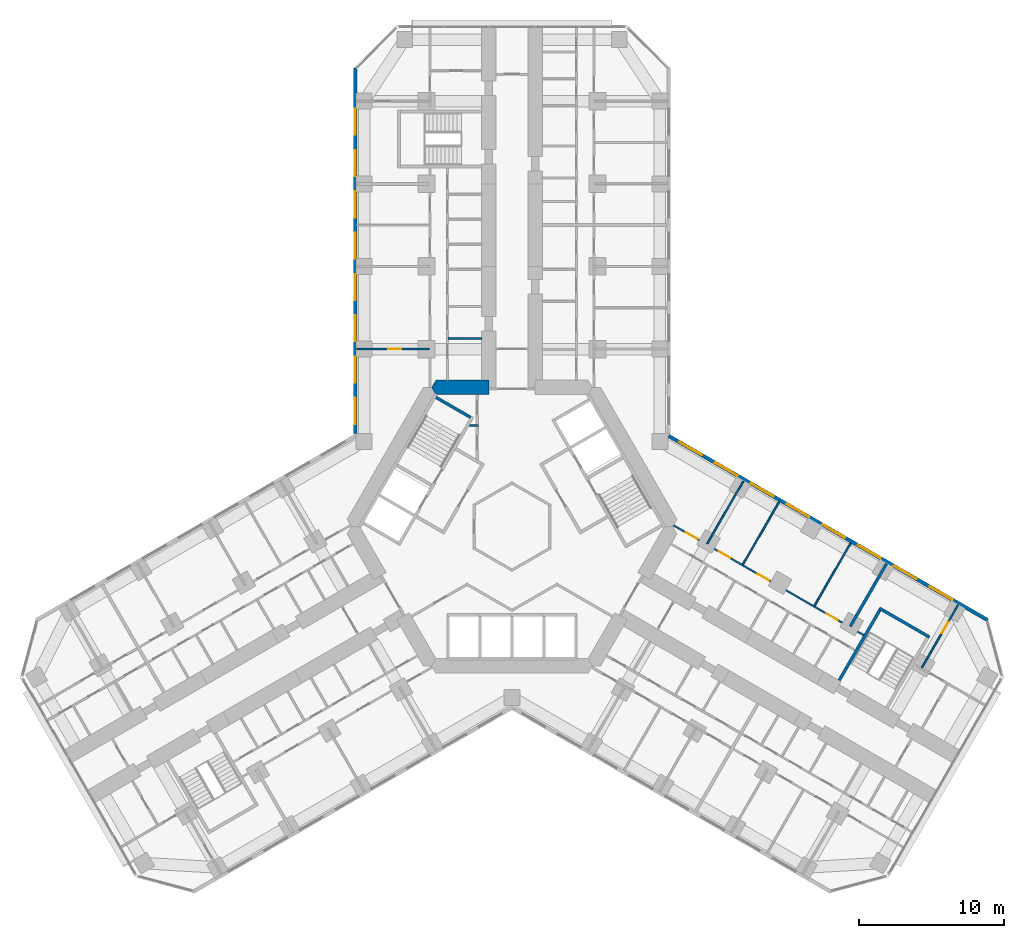
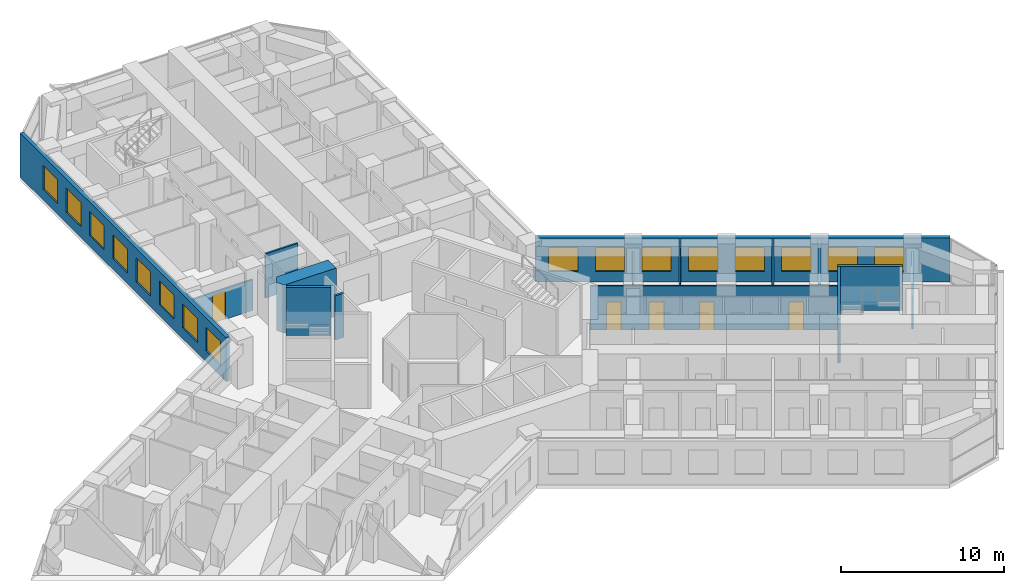
# One storey, part 16 of 21: 16 windows, 15 walls, 6 doors, 22 openings.
"""IFC4 building model written with IfcOpenShell, lengths in metres."""

from ifc_helpers import new_model, si_unit, direction, frame, frame_2d, origin, place, context, subcontext, project, spatial, polyline, rectangle, outline, extrude, material, layer, layer_set, type_object, element, fill, save


model = new_model("IFC4")

# Units and contexts
model_context = context("Model", 3, precision=1e-05, world=origin(), true_north=direction((0.0, 1.0)))
body_context = subcontext(model_context, "Body", "Model", "MODEL_VIEW")
ifc_project = project(units=[si_unit("LENGTHUNIT", "METRE"), si_unit("AREAUNIT", "SQUARE_METRE"), si_unit("VOLUMEUNIT", "CUBIC_METRE"), si_unit("PLANEANGLEUNIT", "RADIAN"), si_unit("MASSUNIT", "GRAM", prefix="KILO")], contexts=[model_context])

# Site, building, storey
site_placement = place(None, origin())
site = spatial("IfcSite", under=ifc_project, at=site_placement, CompositionType="ELEMENT")
building_placement = place(site_placement, origin())
building = spatial("IfcBuilding", under=site, at=building_placement, Name="Kosmar Iwan School Tower", CompositionType="ELEMENT")
storey_placement = place(building_placement, frame((0.0, 0.0, 28.800048828125)))
storey = spatial("IfcBuildingStorey", under=building, at=storey_placement, Name="L06", CompositionType="ELEMENT", Elevation=28.800048828125)

# Walls
ifc_material_1 = material(Name="Gypsum board on steel studs, fire-rated", Category="steel")
ifc_layer_1 = layer(ifc_material_1, 0.14990234375)
ifc_layer_set_1 = layer_set([ifc_layer_1], Name="Core room partition 150")
wall_type_1 = type_object("IfcWallType", Name="Core room partition 150", PredefinedType="PARTITIONING", material=ifc_layer_set_1)
wall_1_placement = place(storey_placement, frame((-2.324951171875, 6.985107421875, 0.0), z_axis=(0.0, 0.0, 1.0), x_axis=(-1.0, 0.0, 0.0)))
element("IfcWall", 1, at=wall_1_placement, inside=storey, type_object=wall_type_1, Name="Core room partition L06-CW2", PredefinedType="PARTITIONING", context=body_context, shape_type="SweptSolid", body=[
    extrude(rectangle(XDim=0.623779296875, YDim=0.14990234375, at=frame_2d((0.31201171875, 0.0))), origin(), (0.0, 0.0, 1.0), 3.300048828125),
])
ifc_material_2 = material(Name="Concrete C50/60", Category="concrete")
ifc_layer_2 = layer(ifc_material_2, 1.0)
ifc_layer_set_2 = layer_set([ifc_layer_2], Name="Core wall 1000")
wall_type_2 = type_object("IfcWallType", Name="Core wall 1000", PredefinedType="SHEAR", material=ifc_layer_set_2)
wall_2_placement = place(storey_placement, origin())
element("IfcWall", 2, at=wall_2_placement, inside=storey, type_object=wall_type_2, Name="Core wall F090b", PredefinedType="SHEAR", context=body_context, shape_type="SweptSolid", body=[
    extrude(outline(polyline([(-5.25390625, 9.10009765625), (-1.60009765625, 9.10009765625), (-1.60009765625, 10.10009765625), (-5.25390625, 10.10009765625), (-5.54248046875, 9.60009765625), (-5.25390625, 9.10009765625)])), origin(), (0.0, 0.0, 1.0), 3.599853515625),
])

# Wall, opening, door
ifc_material_3 = material(Name="Gypsum board on steel studs", Category="steel")
ifc_layer_3 = layer(ifc_material_3, 0.1201171875)
ifc_layer_set_3 = layer_set([ifc_layer_3], Name="Dwelling partition 120")
wall_type_3 = type_object("IfcWallType", Name="Dwelling partition 120", PredefinedType="PARTITIONING", material=ifc_layer_set_3)
wall_3_placement = place(storey_placement, frame((-5.7099609375, 12.25, 0.0), z_axis=(0.0, 0.0, 1.0), x_axis=(-1.0, 0.0, 0.0)))
wall_3 = element("IfcWall", 3, at=wall_3_placement, inside=storey, type_object=wall_type_3, Name="Partition L06-AL1-X1", PredefinedType="PARTITIONING", context=body_context, shape_type="SweptSolid", body=[
    extrude(rectangle(XDim=4.989990234375, YDim=0.1201171875, at=frame_2d((2.4951171875, 0.0))), origin(), (0.0, 0.0, 1.0), 2.300048828125),
])
opening_1_placement = place(wall_3_placement, frame((1.93994140625, 0.0, 0.0)))
opening_1 = element("IfcOpeningElement", 4, at=opening_1_placement, cuts=wall_3, Name="Opening D2", PredefinedType="OPENING", context=body_context, shape_type="SweptSolid", body=[
    extrude(rectangle(XDim=0.89990234375, YDim=2.10009765625, at=frame_2d((0.449951171875, 1.050048828125))), frame((0.0, 0.072021484375, 0.0), z_axis=(0.0, -1.0, 0.0), x_axis=(1.0, 0.0, 0.0)), (0.0, 0.0, 1.0), 0.14404296875),
])
ifc_material_4 = material(Name="Timber door in timber frame", Category="wood")
door_type = type_object("IfcDoorType", Name="Internal door 900x2100", OperationType="SINGLE_SWING_LEFT", PredefinedType="DOOR", material=ifc_material_4)
door_1_placement = place(opening_1_placement, origin())
door_1 = element("IfcDoor", 5, at=door_1_placement, inside=storey, type_object=door_type, Name="Kitchen and dining room door L06-AL1-F1", OperationType="SINGLE_SWING_LEFT", OverallHeight=2.10009765625, OverallWidth=0.89990234375, PredefinedType="DOOR", context=body_context, shape_type="SweptSolid", body=[
    extrude(rectangle(XDim=0.89990234375, YDim=2.10009765625, at=frame_2d((0.449951171875, 1.050048828125))), frame((0.0, 0.02490234375, 0.0), z_axis=(0.0, -1.0, 0.0), x_axis=(1.0, 0.0, 0.0)), (0.0, 0.0, 1.0), 0.050048828125),
])
fill(opening_1, door_1)

# Wall
wall_4_placement = place(storey_placement, frame((-2.10009765625, 12.97998046875, 0.0), z_axis=(0.0, 0.0, 1.0), x_axis=(-1.0, 0.0, 0.0)))
element("IfcWall", 6, at=wall_4_placement, inside=storey, type_object=wall_type_3, Name="Partition L06-AL1-Y1", PredefinedType="PARTITIONING", context=body_context, shape_type="SweptSolid", body=[
    extrude(rectangle(XDim=2.289794921875, YDim=0.1201171875, at=frame_2d((1.14501953125, 0.0))), origin(), (0.0, 0.0, 1.0), 3.300048828125),
])

# Wall, openings, doors
wall_5_placement = place(storey_placement, frame((11.138916015625, 0.093017578125, 0.0), z_axis=(0.0, 0.0, 1.0), x_axis=(0.866024032363, -0.500002375365, 0.0)))
wall_5 = element("IfcWall", 7, at=wall_5_placement, inside=storey, type_object=wall_type_3, Name="Partition L06-CL1-W2", PredefinedType="PARTITIONING", context=body_context, shape_type="SweptSolid", body=[
    extrude(rectangle(XDim=15.14990234375, YDim=0.1201171875, at=frame_2d((7.574951171875, 0.0))), origin(), (0.0, 0.0, 1.0), 3.300048828125),
])
opening_2_placement = place(wall_5_placement, frame((1.0, 0.0, 0.0)))
opening_2 = element("IfcOpeningElement", 8, at=opening_2_placement, cuts=wall_5, Name="Opening D2", PredefinedType="OPENING", context=body_context, shape_type="SweptSolid", body=[
    extrude(rectangle(XDim=0.89990234375, YDim=2.10009765625, at=frame_2d((0.449951171875, 1.050048828125))), frame((0.0, 0.072021484375, 0.0), z_axis=(0.0, -1.0, 0.0), x_axis=(1.0, 0.0, 0.0)), (0.0, 0.0, 1.0), 0.14404296875),
])
opening_3_placement = place(wall_5_placement, frame((3.625, 0.0, 0.0)))
opening_3 = element("IfcOpeningElement", 9, at=opening_3_placement, cuts=wall_5, Name="Opening D2", PredefinedType="OPENING", context=body_context, shape_type="SweptSolid", body=[
    extrude(rectangle(XDim=0.89990234375, YDim=2.10009765625, at=frame_2d((0.449951171875, 1.050048828125))), frame((0.0, 0.072021484375, 0.0), z_axis=(0.0, -1.0, 0.0), x_axis=(1.0, 0.0, 0.0)), (0.0, 0.0, 1.0), 0.14404296875),
])
opening_4_placement = place(wall_5_placement, frame((6.699951171875, 0.0, 0.0)))
opening_4 = element("IfcOpeningElement", 10, at=opening_4_placement, cuts=wall_5, Name="Opening D2", PredefinedType="OPENING", context=body_context, shape_type="SweptSolid", body=[
    extrude(rectangle(XDim=0.89990234375, YDim=2.10009765625, at=frame_2d((0.449951171875, 1.050048828125))), frame((0.0, 0.072021484375, 0.0), z_axis=(0.0, -1.0, 0.0), x_axis=(1.0, 0.0, 0.0)), (0.0, 0.0, 1.0), 0.14404296875),
])
opening_5_placement = place(wall_5_placement, frame((12.175048828125, 0.0, 0.0)))
opening_5 = element("IfcOpeningElement", 11, at=opening_5_placement, cuts=wall_5, Name="Opening D2", PredefinedType="OPENING", context=body_context, shape_type="SweptSolid", body=[
    extrude(rectangle(XDim=0.89990234375, YDim=2.10009765625, at=frame_2d((0.449951171875, 1.050048828125))), frame((0.0, 0.072021484375, 0.0), z_axis=(0.0, -1.0, 0.0), x_axis=(1.0, 0.0, 0.0)), (0.0, 0.0, 1.0), 0.14404296875),
])
door_2_placement = place(opening_2_placement, origin())
door_2 = element("IfcDoor", 12, at=door_2_placement, inside=storey, type_object=door_type, Name="Family room door L06-CL1-F1", OperationType="SINGLE_SWING_LEFT", OverallHeight=2.10009765625, OverallWidth=0.89990234375, PredefinedType="DOOR", context=body_context, shape_type="SweptSolid", body=[
    extrude(rectangle(XDim=0.89990234375, YDim=2.10009765625, at=frame_2d((0.449951171875, 1.050048828125))), frame((0.0, 0.02490234375, 0.0), z_axis=(0.0, -1.0, 0.0), x_axis=(1.0, 0.0, 0.0)), (0.0, 0.0, 1.0), 0.050048828125),
])
fill(opening_2, door_2)
door_3_placement = place(opening_3_placement, origin())
door_3 = element("IfcDoor", 13, at=door_3_placement, inside=storey, type_object=door_type, Name="Study door L06-CL1-F2", OperationType="SINGLE_SWING_RIGHT", OverallHeight=2.10009765625, OverallWidth=0.89990234375, PredefinedType="DOOR", context=body_context, shape_type="SweptSolid", body=[
    extrude(rectangle(XDim=0.89990234375, YDim=2.10009765625, at=frame_2d((0.449951171875, 1.050048828125))), frame((0.0, 0.02490234375, 0.0), z_axis=(0.0, -1.0, 0.0), x_axis=(1.0, 0.0, 0.0)), (0.0, 0.0, 1.0), 0.050048828125),
])
fill(opening_3, door_3)
door_4_placement = place(opening_4_placement, origin())
door_4 = element("IfcDoor", 14, at=door_4_placement, inside=storey, type_object=door_type, Name="Living room and kitchen door L06-CL1-F3", OperationType="SINGLE_SWING_LEFT", OverallHeight=2.10009765625, OverallWidth=0.89990234375, PredefinedType="DOOR", context=body_context, shape_type="SweptSolid", body=[
    extrude(rectangle(XDim=0.89990234375, YDim=2.10009765625, at=frame_2d((0.449951171875, 1.050048828125))), frame((0.0, 0.02490234375, 0.0), z_axis=(0.0, -1.0, 0.0), x_axis=(1.0, 0.0, 0.0)), (0.0, 0.0, 1.0), 0.050048828125),
])
fill(opening_4, door_4)
door_5_placement = place(opening_5_placement, origin())
door_5 = element("IfcDoor", 15, at=door_5_placement, inside=storey, type_object=door_type, Name="Bedroom 1 door L06-CL1-F4", OperationType="SINGLE_SWING_RIGHT", OverallHeight=2.10009765625, OverallWidth=0.89990234375, PredefinedType="DOOR", context=body_context, shape_type="SweptSolid", body=[
    extrude(rectangle(XDim=0.89990234375, YDim=2.10009765625, at=frame_2d((0.449951171875, 1.050048828125))), frame((0.0, 0.02490234375, 0.0), z_axis=(0.0, -1.0, 0.0), x_axis=(1.0, 0.0, 0.0)), (0.0, 0.0, 1.0), 0.050048828125),
])
fill(opening_5, door_5)

# Walls
wall_6_placement = place(storey_placement, frame((13.4638671875, -1.179931640625, 0.0), z_axis=(0.0, 0.0, 1.0), x_axis=(0.499996339024, 0.86602751744, 0.0)))
element("IfcWall", 16, at=wall_6_placement, inside=storey, type_object=wall_type_3, Name="Partition L06-CL1-X1", PredefinedType="PARTITIONING", context=body_context, shape_type="SweptSolid", body=[
    extrude(rectangle(XDim=4.98974609375, YDim=0.1201171875, at=frame_2d((2.494873046875, 0.0))), origin(), (0.0, 0.0, 1.0), 2.300048828125),
])
wall_7_placement = place(storey_placement, frame((15.931884765625, -2.60498046875, 0.0), z_axis=(0.0, 0.0, 1.0), x_axis=(0.500011847778, 0.866018563358, 0.0)))
element("IfcWall", 17, at=wall_7_placement, inside=storey, type_object=wall_type_3, Name="Partition L06-CL1-X2", PredefinedType="PARTITIONING", context=body_context, shape_type="SweptSolid", body=[
    extrude(rectangle(XDim=4.990234375, YDim=0.1201171875, at=frame_2d((2.4951171875, 0.0))), origin(), (0.0, 0.0, 1.0), 3.300048828125),
])
wall_8_placement = place(storey_placement, frame((20.868408203125, -5.455078125, 0.0), z_axis=(0.0, 0.0, 1.0), x_axis=(0.499975153383, 0.86603974851, 0.0)))
element("IfcWall", 18, at=wall_8_placement, inside=storey, type_object=wall_type_3, Name="Partition L06-CL1-X3", PredefinedType="PARTITIONING", context=body_context, shape_type="SweptSolid", body=[
    extrude(rectangle(XDim=4.989990234375, YDim=0.1201171875, at=frame_2d((2.4951171875, 0.0))), origin(), (0.0, 0.0, 1.0), 3.300048828125),
])

# Wall, opening, door
wall_9_placement = place(storey_placement, frame((28.27294921875, -9.72998046875, 0.0), z_axis=(0.0, 0.0, 1.0), x_axis=(0.499975153383, 0.86603974851, 0.0)))
wall_9 = element("IfcWall", 19, at=wall_9_placement, inside=storey, type_object=wall_type_3, Name="Partition L06-CL2-TX", PredefinedType="PARTITIONING", context=body_context, shape_type="SweptSolid", body=[
    extrude(rectangle(XDim=4.989990234375, YDim=0.1201171875, at=frame_2d((2.4951171875, 0.0))), origin(), (0.0, 0.0, 1.0), 2.300048828125),
])
opening_6_placement = place(wall_9_placement, frame((2.739990234375, 0.0, 0.0)))
opening_6 = element("IfcOpeningElement", 20, at=opening_6_placement, cuts=wall_9, Name="Opening D2", PredefinedType="OPENING", context=body_context, shape_type="SweptSolid", body=[
    extrude(rectangle(XDim=0.89990234375, YDim=2.10009765625, at=frame_2d((0.449951171875, 1.050048828125))), frame((0.0, 0.072021484375, 0.0), z_axis=(0.0, -1.0, 0.0), x_axis=(1.0, 0.0, 0.0)), (0.0, 0.0, 1.0), 0.14404296875),
])
door_6_placement = place(opening_6_placement, origin())
door_6 = element("IfcDoor", 21, at=door_6_placement, inside=storey, type_object=door_type, Name="Bedroom 1 door L06-CL2-T1", OperationType="SINGLE_SWING_RIGHT", OverallHeight=2.10009765625, OverallWidth=0.89990234375, PredefinedType="DOOR", context=body_context, shape_type="SweptSolid", body=[
    extrude(rectangle(XDim=0.89990234375, YDim=2.10009765625, at=frame_2d((0.449951171875, 1.050048828125))), frame((0.0, 0.02490234375, 0.0), z_axis=(0.0, -1.0, 0.0), x_axis=(1.0, 0.0, 0.0)), (0.0, 0.0, 1.0), 0.050048828125),
])
fill(opening_6, door_6)

# Walls
ifc_material_5 = material(Name="Concrete C35/45", Category="concrete")
ifc_layer_4 = layer(ifc_material_5, 0.199951171875)
ifc_layer_set_4 = layer_set([ifc_layer_4], Name="Escape stair wall 200")
wall_type_4 = type_object("IfcWallType", Name="Escape stair wall 200", PredefinedType="SHEAR", material=ifc_layer_set_4)
wall_10_placement = place(storey_placement, frame((22.57080078125, -10.6064453125, 0.0), z_axis=(0.0, 0.0, 1.0), x_axis=(0.499987231761, 0.866032775405, 0.0)))
element("IfcWall", 22, at=wall_10_placement, inside=storey, type_object=wall_type_4, Name="Stair WS3 wall", PredefinedType="SHEAR", context=body_context, shape_type="SweptSolid", body=[
    extrude(rectangle(XDim=5.800048828125, YDim=0.199951171875, at=frame_2d((2.89990234375, 0.0))), origin(), (0.0, 0.0, 1.0), 3.280029296875),
])
wall_11_placement = place(storey_placement, frame((25.334228515625, -5.6201171875, 0.0), z_axis=(0.0, 0.0, 1.0), x_axis=(0.866026010844, -0.49999894854, 0.0)))
element("IfcWall", 23, at=wall_11_placement, inside=storey, type_object=wall_type_4, Name="Stair WS3 wall", PredefinedType="SHEAR", context=body_context, shape_type="SweptSolid", body=[
    extrude(rectangle(XDim=4.0, YDim=0.199951171875, at=frame_2d((2.0, 0.0))), origin(), (0.0, 0.0, 1.0), 3.280029296875),
])

# Wall, openings, windows
ifc_material_6 = material(Name="Black aluminium rainscreen on insulated framing", Category="aluminium")
ifc_layer_5 = layer(ifc_material_6, 0.25)
ifc_layer_set_5 = layer_set([ifc_layer_5], Name="External wall rainscreen 250")
wall_type_5 = type_object("IfcWallType", Name="External wall rainscreen 250", PredefinedType="SOLIDWALL", material=ifc_layer_set_5)
wall_12_placement = place(storey_placement, frame((10.8125, 6.257080078125, 0.0), z_axis=(0.0, 0.0, 1.0), x_axis=(0.86602648281, -0.499998131069, 0.0)))
wall_12 = element("IfcWall", 24, at=wall_12_placement, inside=storey, type_object=wall_type_5, Name="External wall CL L06", PredefinedType="SOLIDWALL", context=body_context, shape_type="SweptSolid", body=[
    extrude(rectangle(XDim=25.39990234375, YDim=0.25, at=frame_2d((12.699951171875, 0.0))), origin(), (0.0, 0.0, 1.0), 3.300048828125),
])
opening_7_placement = place(wall_12_placement, frame((0.839599609375, 0.0, 0.800048828125)))
opening_7 = element("IfcOpeningElement", 25, at=opening_7_placement, cuts=wall_12, Name="Opening W1", PredefinedType="OPENING", context=body_context, shape_type="SweptSolid", body=[
    extrude(rectangle(XDim=1.800048828125, YDim=1.800048828125, at=frame_2d((0.89990234375, 0.89990234375))), frame((0.0, 0.136962890625, 0.0), z_axis=(0.0, -1.0, 0.0), x_axis=(1.0, 0.0, 0.0)), (0.0, 0.0, 1.0), 0.27392578125),
])
opening_8_placement = place(wall_12_placement, frame((3.689697265625, 0.0, 0.800048828125)))
opening_8 = element("IfcOpeningElement", 26, at=opening_8_placement, cuts=wall_12, Name="Opening W1", PredefinedType="OPENING", context=body_context, shape_type="SweptSolid", body=[
    extrude(rectangle(XDim=1.800048828125, YDim=1.800048828125, at=frame_2d((0.89990234375, 0.89990234375))), frame((0.0, 0.136962890625, 0.0), z_axis=(0.0, -1.0, 0.0), x_axis=(1.0, 0.0, 0.0)), (0.0, 0.0, 1.0), 0.27392578125),
])
opening_9_placement = place(wall_12_placement, frame((6.53955078125, 0.0, 0.800048828125)))
opening_9 = element("IfcOpeningElement", 27, at=opening_9_placement, cuts=wall_12, Name="Opening W1", PredefinedType="OPENING", context=body_context, shape_type="SweptSolid", body=[
    extrude(rectangle(XDim=1.800048828125, YDim=1.800048828125, at=frame_2d((0.89990234375, 0.89990234375))), frame((0.0, 0.136962890625, 0.0), z_axis=(0.0, -1.0, 0.0), x_axis=(1.0, 0.0, 0.0)), (0.0, 0.0, 1.0), 0.27392578125),
])
opening_10_placement = place(wall_12_placement, frame((9.3896484375, 0.0, 0.800048828125)))
opening_10 = element("IfcOpeningElement", 28, at=opening_10_placement, cuts=wall_12, Name="Opening W1", PredefinedType="OPENING", context=body_context, shape_type="SweptSolid", body=[
    extrude(rectangle(XDim=1.800048828125, YDim=1.800048828125, at=frame_2d((0.89990234375, 0.89990234375))), frame((0.0, 0.136962890625, 0.0), z_axis=(0.0, -1.0, 0.0), x_axis=(1.0, 0.0, 0.0)), (0.0, 0.0, 1.0), 0.27392578125),
])
opening_11_placement = place(wall_12_placement, frame((12.23974609375, 0.0, 0.800048828125)))
opening_11 = element("IfcOpeningElement", 29, at=opening_11_placement, cuts=wall_12, Name="Opening W1", PredefinedType="OPENING", context=body_context, shape_type="SweptSolid", body=[
    extrude(rectangle(XDim=1.800048828125, YDim=1.800048828125, at=frame_2d((0.89990234375, 0.89990234375))), frame((0.0, 0.136962890625, 0.0), z_axis=(0.0, -1.0, 0.0), x_axis=(1.0, 0.0, 0.0)), (0.0, 0.0, 1.0), 0.27392578125),
])
opening_12_placement = place(wall_12_placement, frame((15.089599609375, 0.0, 0.800048828125)))
opening_12 = element("IfcOpeningElement", 30, at=opening_12_placement, cuts=wall_12, Name="Opening W1", PredefinedType="OPENING", context=body_context, shape_type="SweptSolid", body=[
    extrude(rectangle(XDim=1.800048828125, YDim=1.800048828125, at=frame_2d((0.89990234375, 0.89990234375))), frame((0.0, 0.136962890625, 0.0), z_axis=(0.0, -1.0, 0.0), x_axis=(1.0, 0.0, 0.0)), (0.0, 0.0, 1.0), 0.27392578125),
])
opening_13_placement = place(wall_12_placement, frame((17.939697265625, 0.0, 0.800048828125)))
opening_13 = element("IfcOpeningElement", 31, at=opening_13_placement, cuts=wall_12, Name="Opening W1", PredefinedType="OPENING", context=body_context, shape_type="SweptSolid", body=[
    extrude(rectangle(XDim=1.800048828125, YDim=1.800048828125, at=frame_2d((0.89990234375, 0.89990234375))), frame((0.0, 0.136962890625, 0.0), z_axis=(0.0, -1.0, 0.0), x_axis=(1.0, 0.0, 0.0)), (0.0, 0.0, 1.0), 0.27392578125),
])
opening_14_placement = place(wall_12_placement, frame((20.78955078125, 0.0, 0.800048828125)))
opening_14 = element("IfcOpeningElement", 32, at=opening_14_placement, cuts=wall_12, Name="Opening W1", PredefinedType="OPENING", context=body_context, shape_type="SweptSolid", body=[
    extrude(rectangle(XDim=1.800048828125, YDim=1.800048828125, at=frame_2d((0.89990234375, 0.89990234375))), frame((0.0, 0.136962890625, 0.0), z_axis=(0.0, -1.0, 0.0), x_axis=(1.0, 0.0, 0.0)), (0.0, 0.0, 1.0), 0.27392578125),
])
ifc_material_7 = material(Name="Black aluminium frame with dark triple glazing", Category="aluminium")
window_type = type_object("IfcWindowType", Name="Window 1800x1800", PartitioningType="SINGLE_PANEL", PredefinedType="WINDOW", material=ifc_material_7)
window_1_placement = place(opening_7_placement, origin())
window_1 = element("IfcWindow", 33, at=window_1_placement, inside=storey, type_object=window_type, Name="Window CL L06 -1", OverallHeight=1.800048828125, OverallWidth=1.800048828125, PartitioningType="SINGLE_PANEL", PredefinedType="WINDOW", context=body_context, shape_type="SweptSolid", body=[
    extrude(rectangle(XDim=1.800048828125, YDim=1.800048828125, at=frame_2d((0.89990234375, 0.89990234375))), frame((0.0, 0.030029296875, 0.0), z_axis=(0.0, -1.0, 0.0), x_axis=(1.0, 0.0, 0.0)), (0.0, 0.0, 1.0), 0.06005859375),
])
fill(opening_7, window_1)
window_2_placement = place(opening_8_placement, origin())
window_2 = element("IfcWindow", 34, at=window_2_placement, inside=storey, type_object=window_type, Name="Window CL L06 0", OverallHeight=1.800048828125, OverallWidth=1.800048828125, PartitioningType="SINGLE_PANEL", PredefinedType="WINDOW", context=body_context, shape_type="SweptSolid", body=[
    extrude(rectangle(XDim=1.800048828125, YDim=1.800048828125, at=frame_2d((0.89990234375, 0.89990234375))), frame((0.0, 0.030029296875, 0.0), z_axis=(0.0, -1.0, 0.0), x_axis=(1.0, 0.0, 0.0)), (0.0, 0.0, 1.0), 0.06005859375),
])
fill(opening_8, window_2)
window_3_placement = place(opening_9_placement, origin())
window_3 = element("IfcWindow", 35, at=window_3_placement, inside=storey, type_object=window_type, Name="Window CL L06 1", OverallHeight=1.800048828125, OverallWidth=1.800048828125, PartitioningType="SINGLE_PANEL", PredefinedType="WINDOW", context=body_context, shape_type="SweptSolid", body=[
    extrude(rectangle(XDim=1.800048828125, YDim=1.800048828125, at=frame_2d((0.89990234375, 0.89990234375))), frame((0.0, 0.030029296875, 0.0), z_axis=(0.0, -1.0, 0.0), x_axis=(1.0, 0.0, 0.0)), (0.0, 0.0, 1.0), 0.06005859375),
])
fill(opening_9, window_3)
window_4_placement = place(opening_10_placement, origin())
window_4 = element("IfcWindow", 36, at=window_4_placement, inside=storey, type_object=window_type, Name="Window CL L06 2", OverallHeight=1.800048828125, OverallWidth=1.800048828125, PartitioningType="SINGLE_PANEL", PredefinedType="WINDOW", context=body_context, shape_type="SweptSolid", body=[
    extrude(rectangle(XDim=1.800048828125, YDim=1.800048828125, at=frame_2d((0.89990234375, 0.89990234375))), frame((0.0, 0.030029296875, 0.0), z_axis=(0.0, -1.0, 0.0), x_axis=(1.0, 0.0, 0.0)), (0.0, 0.0, 1.0), 0.06005859375),
])
fill(opening_10, window_4)
window_5_placement = place(opening_11_placement, origin())
window_5 = element("IfcWindow", 37, at=window_5_placement, inside=storey, type_object=window_type, Name="Window CL L06 3", OverallHeight=1.800048828125, OverallWidth=1.800048828125, PartitioningType="SINGLE_PANEL", PredefinedType="WINDOW", context=body_context, shape_type="SweptSolid", body=[
    extrude(rectangle(XDim=1.800048828125, YDim=1.800048828125, at=frame_2d((0.89990234375, 0.89990234375))), frame((0.0, 0.030029296875, 0.0), z_axis=(0.0, -1.0, 0.0), x_axis=(1.0, 0.0, 0.0)), (0.0, 0.0, 1.0), 0.06005859375),
])
fill(opening_11, window_5)
window_6_placement = place(opening_12_placement, origin())
window_6 = element("IfcWindow", 38, at=window_6_placement, inside=storey, type_object=window_type, Name="Window CL L06 4", OverallHeight=1.800048828125, OverallWidth=1.800048828125, PartitioningType="SINGLE_PANEL", PredefinedType="WINDOW", context=body_context, shape_type="SweptSolid", body=[
    extrude(rectangle(XDim=1.800048828125, YDim=1.800048828125, at=frame_2d((0.89990234375, 0.89990234375))), frame((0.0, 0.030029296875, 0.0), z_axis=(0.0, -1.0, 0.0), x_axis=(1.0, 0.0, 0.0)), (0.0, 0.0, 1.0), 0.06005859375),
])
fill(opening_12, window_6)
window_7_placement = place(opening_13_placement, origin())
window_7 = element("IfcWindow", 39, at=window_7_placement, inside=storey, type_object=window_type, Name="Window CL L06 5", OverallHeight=1.800048828125, OverallWidth=1.800048828125, PartitioningType="SINGLE_PANEL", PredefinedType="WINDOW", context=body_context, shape_type="SweptSolid", body=[
    extrude(rectangle(XDim=1.800048828125, YDim=1.800048828125, at=frame_2d((0.89990234375, 0.89990234375))), frame((0.0, 0.030029296875, 0.0), z_axis=(0.0, -1.0, 0.0), x_axis=(1.0, 0.0, 0.0)), (0.0, 0.0, 1.0), 0.06005859375),
])
fill(opening_13, window_7)
window_8_placement = place(opening_14_placement, origin())
window_8 = element("IfcWindow", 40, at=window_8_placement, inside=storey, type_object=window_type, Name="Window CL L06 6", OverallHeight=1.800048828125, OverallWidth=1.800048828125, PartitioningType="SINGLE_PANEL", PredefinedType="WINDOW", context=body_context, shape_type="SweptSolid", body=[
    extrude(rectangle(XDim=1.800048828125, YDim=1.800048828125, at=frame_2d((0.89990234375, 0.89990234375))), frame((0.0, 0.030029296875, 0.0), z_axis=(0.0, -1.0, 0.0), x_axis=(1.0, 0.0, 0.0)), (0.0, 0.0, 1.0), 0.06005859375),
])
fill(opening_14, window_8)

wall_13_placement = place(storey_placement, frame((-10.824951171875, 6.408935546875, 0.0), z_axis=(0.0, 0.0, 1.0), x_axis=(0.0, 1.0, 0.0)))
wall_13 = element("IfcWall", 41, at=wall_13_placement, inside=storey, type_object=wall_type_5, Name="External wall AL L06", PredefinedType="SOLIDWALL", context=body_context, shape_type="SweptSolid", body=[
    extrude(rectangle(XDim=25.226318359375, YDim=0.25, at=frame_2d((12.61328125, 0.0))), origin(), (0.0, 0.0, 1.0), 3.300048828125),
])
opening_15_placement = place(wall_13_placement, frame((0.666015625, 0.0, 0.800048828125)))
opening_15 = element("IfcOpeningElement", 42, at=opening_15_placement, cuts=wall_13, Name="Opening W1", PredefinedType="OPENING", context=body_context, shape_type="SweptSolid", body=[
    extrude(rectangle(XDim=1.800048828125, YDim=1.800048828125, at=frame_2d((0.89990234375, 0.89990234375))), frame((0.0, 0.136962890625, 0.0), z_axis=(0.0, -1.0, 0.0), x_axis=(1.0, 0.0, 0.0)), (0.0, 0.0, 1.0), 0.27392578125),
])
opening_16_placement = place(wall_13_placement, frame((3.51611328125, 0.0, 0.800048828125)))
opening_16 = element("IfcOpeningElement", 43, at=opening_16_placement, cuts=wall_13, Name="Opening W1", PredefinedType="OPENING", context=body_context, shape_type="SweptSolid", body=[
    extrude(rectangle(XDim=1.800048828125, YDim=1.800048828125, at=frame_2d((0.89990234375, 0.89990234375))), frame((0.0, 0.136962890625, 0.0), z_axis=(0.0, -1.0, 0.0), x_axis=(1.0, 0.0, 0.0)), (0.0, 0.0, 1.0), 0.27392578125),
])
opening_17_placement = place(wall_13_placement, frame((6.365966796875, 0.0, 0.800048828125)))
opening_17 = element("IfcOpeningElement", 44, at=opening_17_placement, cuts=wall_13, Name="Opening W1", PredefinedType="OPENING", context=body_context, shape_type="SweptSolid", body=[
    extrude(rectangle(XDim=1.800048828125, YDim=1.800048828125, at=frame_2d((0.89990234375, 0.89990234375))), frame((0.0, 0.136962890625, 0.0), z_axis=(0.0, -1.0, 0.0), x_axis=(1.0, 0.0, 0.0)), (0.0, 0.0, 1.0), 0.27392578125),
])
opening_18_placement = place(wall_13_placement, frame((9.216064453125, 0.0, 0.800048828125)))
opening_18 = element("IfcOpeningElement", 45, at=opening_18_placement, cuts=wall_13, Name="Opening W1", PredefinedType="OPENING", context=body_context, shape_type="SweptSolid", body=[
    extrude(rectangle(XDim=1.800048828125, YDim=1.800048828125, at=frame_2d((0.89990234375, 0.89990234375))), frame((0.0, 0.136962890625, 0.0), z_axis=(0.0, -1.0, 0.0), x_axis=(1.0, 0.0, 0.0)), (0.0, 0.0, 1.0), 0.27392578125),
])
opening_19_placement = place(wall_13_placement, frame((12.06591796875, 0.0, 0.800048828125)))
opening_19 = element("IfcOpeningElement", 46, at=opening_19_placement, cuts=wall_13, Name="Opening W1", PredefinedType="OPENING", context=body_context, shape_type="SweptSolid", body=[
    extrude(rectangle(XDim=1.800048828125, YDim=1.800048828125, at=frame_2d((0.89990234375, 0.89990234375))), frame((0.0, 0.136962890625, 0.0), z_axis=(0.0, -1.0, 0.0), x_axis=(1.0, 0.0, 0.0)), (0.0, 0.0, 1.0), 0.27392578125),
])
opening_20_placement = place(wall_13_placement, frame((14.916015625, 0.0, 0.800048828125)))
opening_20 = element("IfcOpeningElement", 47, at=opening_20_placement, cuts=wall_13, Name="Opening W1", PredefinedType="OPENING", context=body_context, shape_type="SweptSolid", body=[
    extrude(rectangle(XDim=1.800048828125, YDim=1.800048828125, at=frame_2d((0.89990234375, 0.89990234375))), frame((0.0, 0.136962890625, 0.0), z_axis=(0.0, -1.0, 0.0), x_axis=(1.0, 0.0, 0.0)), (0.0, 0.0, 1.0), 0.27392578125),
])
opening_21_placement = place(wall_13_placement, frame((17.76611328125, 0.0, 0.800048828125)))
opening_21 = element("IfcOpeningElement", 48, at=opening_21_placement, cuts=wall_13, Name="Opening W1", PredefinedType="OPENING", context=body_context, shape_type="SweptSolid", body=[
    extrude(rectangle(XDim=1.800048828125, YDim=1.800048828125, at=frame_2d((0.89990234375, 0.89990234375))), frame((0.0, 0.136962890625, 0.0), z_axis=(0.0, -1.0, 0.0), x_axis=(1.0, 0.0, 0.0)), (0.0, 0.0, 1.0), 0.27392578125),
])
opening_22_placement = place(wall_13_placement, frame((20.615966796875, 0.0, 0.800048828125)))
opening_22 = element("IfcOpeningElement", 49, at=opening_22_placement, cuts=wall_13, Name="Opening W1", PredefinedType="OPENING", context=body_context, shape_type="SweptSolid", body=[
    extrude(rectangle(XDim=1.800048828125, YDim=1.800048828125, at=frame_2d((0.89990234375, 0.89990234375))), frame((0.0, 0.136962890625, 0.0), z_axis=(0.0, -1.0, 0.0), x_axis=(1.0, 0.0, 0.0)), (0.0, 0.0, 1.0), 0.27392578125),
])
window_9_placement = place(opening_15_placement, origin())
window_9 = element("IfcWindow", 50, at=window_9_placement, inside=storey, type_object=window_type, Name="Window AL L06 -1", OverallHeight=1.800048828125, OverallWidth=1.800048828125, PartitioningType="SINGLE_PANEL", PredefinedType="WINDOW", context=body_context, shape_type="SweptSolid", body=[
    extrude(rectangle(XDim=1.800048828125, YDim=1.800048828125, at=frame_2d((0.89990234375, 0.89990234375))), frame((0.0, 0.030029296875, 0.0), z_axis=(0.0, -1.0, 0.0), x_axis=(1.0, 0.0, 0.0)), (0.0, 0.0, 1.0), 0.06005859375),
])
fill(opening_15, window_9)
window_10_placement = place(opening_16_placement, origin())
window_10 = element("IfcWindow", 51, at=window_10_placement, inside=storey, type_object=window_type, Name="Window AL L06 0", OverallHeight=1.800048828125, OverallWidth=1.800048828125, PartitioningType="SINGLE_PANEL", PredefinedType="WINDOW", context=body_context, shape_type="SweptSolid", body=[
    extrude(rectangle(XDim=1.800048828125, YDim=1.800048828125, at=frame_2d((0.89990234375, 0.89990234375))), frame((0.0, 0.030029296875, 0.0), z_axis=(0.0, -1.0, 0.0), x_axis=(1.0, 0.0, 0.0)), (0.0, 0.0, 1.0), 0.06005859375),
])
fill(opening_16, window_10)
window_11_placement = place(opening_17_placement, origin())
window_11 = element("IfcWindow", 52, at=window_11_placement, inside=storey, type_object=window_type, Name="Window AL L06 1", OverallHeight=1.800048828125, OverallWidth=1.800048828125, PartitioningType="SINGLE_PANEL", PredefinedType="WINDOW", context=body_context, shape_type="SweptSolid", body=[
    extrude(rectangle(XDim=1.800048828125, YDim=1.800048828125, at=frame_2d((0.89990234375, 0.89990234375))), frame((0.0, 0.030029296875, 0.0), z_axis=(0.0, -1.0, 0.0), x_axis=(1.0, 0.0, 0.0)), (0.0, 0.0, 1.0), 0.06005859375),
])
fill(opening_17, window_11)
window_12_placement = place(opening_18_placement, origin())
window_12 = element("IfcWindow", 53, at=window_12_placement, inside=storey, type_object=window_type, Name="Window AL L06 2", OverallHeight=1.800048828125, OverallWidth=1.800048828125, PartitioningType="SINGLE_PANEL", PredefinedType="WINDOW", context=body_context, shape_type="SweptSolid", body=[
    extrude(rectangle(XDim=1.800048828125, YDim=1.800048828125, at=frame_2d((0.89990234375, 0.89990234375))), frame((0.0, 0.030029296875, 0.0), z_axis=(0.0, -1.0, 0.0), x_axis=(1.0, 0.0, 0.0)), (0.0, 0.0, 1.0), 0.06005859375),
])
fill(opening_18, window_12)
window_13_placement = place(opening_19_placement, origin())
window_13 = element("IfcWindow", 54, at=window_13_placement, inside=storey, type_object=window_type, Name="Window AL L06 3", OverallHeight=1.800048828125, OverallWidth=1.800048828125, PartitioningType="SINGLE_PANEL", PredefinedType="WINDOW", context=body_context, shape_type="SweptSolid", body=[
    extrude(rectangle(XDim=1.800048828125, YDim=1.800048828125, at=frame_2d((0.89990234375, 0.89990234375))), frame((0.0, 0.030029296875, 0.0), z_axis=(0.0, -1.0, 0.0), x_axis=(1.0, 0.0, 0.0)), (0.0, 0.0, 1.0), 0.06005859375),
])
fill(opening_19, window_13)
window_14_placement = place(opening_20_placement, origin())
window_14 = element("IfcWindow", 55, at=window_14_placement, inside=storey, type_object=window_type, Name="Window AL L06 4", OverallHeight=1.800048828125, OverallWidth=1.800048828125, PartitioningType="SINGLE_PANEL", PredefinedType="WINDOW", context=body_context, shape_type="SweptSolid", body=[
    extrude(rectangle(XDim=1.800048828125, YDim=1.800048828125, at=frame_2d((0.89990234375, 0.89990234375))), frame((0.0, 0.030029296875, 0.0), z_axis=(0.0, -1.0, 0.0), x_axis=(1.0, 0.0, 0.0)), (0.0, 0.0, 1.0), 0.06005859375),
])
fill(opening_20, window_14)
window_15_placement = place(opening_21_placement, origin())
window_15 = element("IfcWindow", 56, at=window_15_placement, inside=storey, type_object=window_type, Name="Window AL L06 5", OverallHeight=1.800048828125, OverallWidth=1.800048828125, PartitioningType="SINGLE_PANEL", PredefinedType="WINDOW", context=body_context, shape_type="SweptSolid", body=[
    extrude(rectangle(XDim=1.800048828125, YDim=1.800048828125, at=frame_2d((0.89990234375, 0.89990234375))), frame((0.0, 0.030029296875, 0.0), z_axis=(0.0, -1.0, 0.0), x_axis=(1.0, 0.0, 0.0)), (0.0, 0.0, 1.0), 0.06005859375),
])
fill(opening_21, window_15)
window_16_placement = place(opening_22_placement, origin())
window_16 = element("IfcWindow", 57, at=window_16_placement, inside=storey, type_object=window_type, Name="Window AL L06 6", OverallHeight=1.800048828125, OverallWidth=1.800048828125, PartitioningType="SINGLE_PANEL", PredefinedType="WINDOW", context=body_context, shape_type="SweptSolid", body=[
    extrude(rectangle(XDim=1.800048828125, YDim=1.800048828125, at=frame_2d((0.89990234375, 0.89990234375))), frame((0.0, 0.030029296875, 0.0), z_axis=(0.0, -1.0, 0.0), x_axis=(1.0, 0.0, 0.0)), (0.0, 0.0, 1.0), 0.06005859375),
])
fill(opening_22, window_16)

# Walls
ifc_material_8 = material(Name="Concrete block masonry", Category="masonry")
ifc_layer_6 = layer(ifc_material_8, 0.199951171875)
ifc_layer_set_6 = layer_set([ifc_layer_6], Name="Party wall 200")
wall_type_6 = type_object("IfcWallType", Name="Party wall 200", PredefinedType="PARTITIONING", material=ifc_layer_set_6)
wall_14_placement = place(storey_placement, frame((23.33642578125, -6.8798828125, 0.0), z_axis=(0.0, 0.0, 1.0), x_axis=(0.500033033937, 0.866006330792, 0.0)))
element("IfcWall", 58, at=wall_14_placement, inside=storey, type_object=wall_type_6, Name="Partition L06-CL2-TB", PredefinedType="PARTITIONING", context=body_context, shape_type="SweptSolid", body=[
    extrude(rectangle(XDim=4.989990234375, YDim=0.199951171875, at=frame_2d((2.4951171875, 0.0))), origin(), (0.0, 0.0, 1.0), 3.300048828125),
])
ifc_material_9 = material(Name="Concrete C50/60", Category="concrete")
ifc_layer_7 = layer(ifc_material_9, 0.199951171875)
ifc_layer_set_7 = layer_set([ifc_layer_7], Name="Stair enclosure wall 200")
wall_type_7 = type_object("IfcWallType", Name="Stair enclosure wall 200", PredefinedType="SHEAR", material=ifc_layer_set_7)
wall_15_placement = place(storey_placement, frame((-2.862548828125, 7.541748046875, 0.0), z_axis=(0.0, 0.0, 1.0), x_axis=(-0.866027397988, 0.499996545922, 0.0)))
element("IfcWall", 59, at=wall_15_placement, inside=storey, type_object=wall_type_7, Name="Stair ST2 wall", PredefinedType="SHEAR", context=body_context, shape_type="SweptSolid", body=[
    extrude(rectangle(XDim=2.75, YDim=0.199951171875, at=frame_2d((1.375, 0.0))), origin(), (0.0, 0.0, 1.0), 3.599853515625),
])

save(model, "model.ifc")
